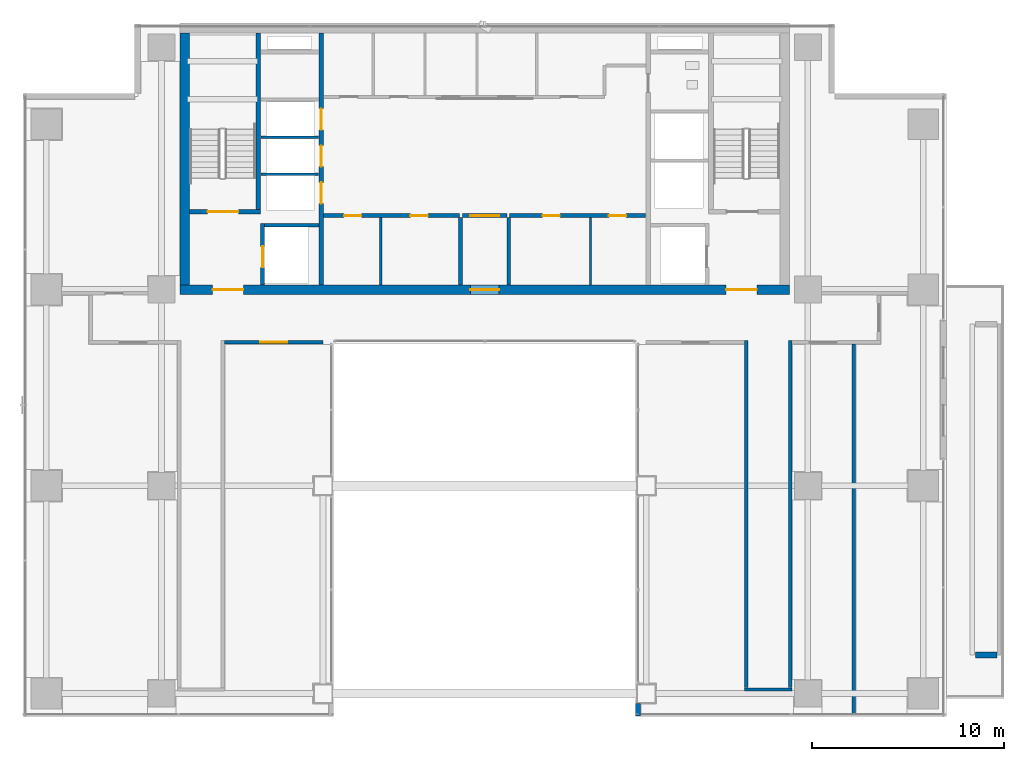
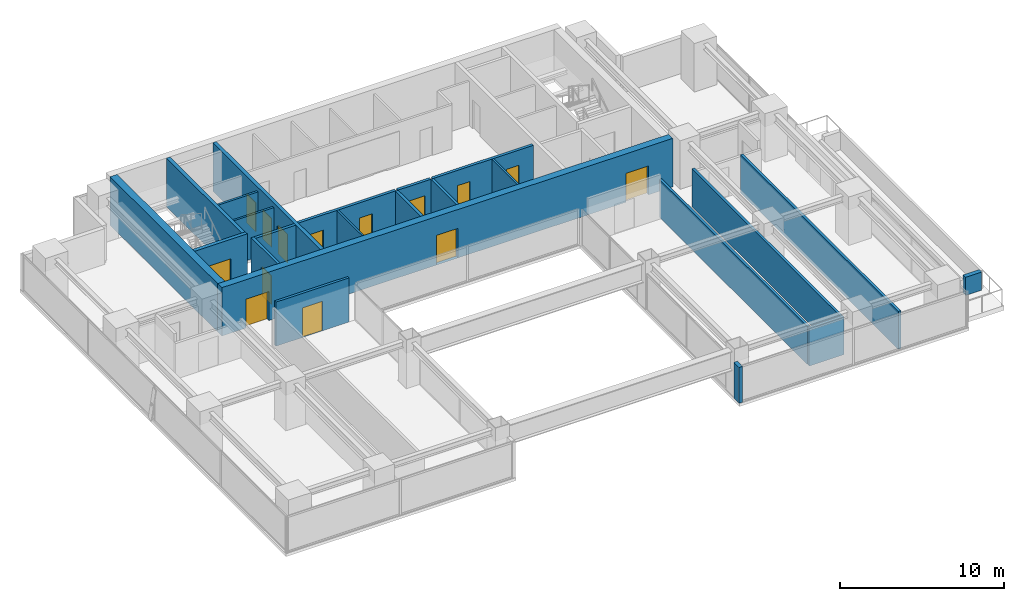
# One storey, part 26 of 32: 23 walls, 14 doors, 14 openings.
"""IFC4 building model written with IfcOpenShell, lengths in metres."""

from ifc_helpers import new_model, si_unit, direction, frame, frame_2d, origin, place, context, subcontext, project, spatial, rectangle, extrude, source, transform, mapped, material, layer, layer_set, type_object, element, fill, save


model = new_model("IFC4")

# Units and contexts
model_context = context("Model", 3, precision=1e-05, world=origin(), true_north=direction((0.0, 1.0)))
body_context = subcontext(model_context, "Body", "Model", "MODEL_VIEW")
ifc_project = project(units=[si_unit("LENGTHUNIT", "METRE"), si_unit("AREAUNIT", "SQUARE_METRE"), si_unit("VOLUMEUNIT", "CUBIC_METRE"), si_unit("PLANEANGLEUNIT", "RADIAN"), si_unit("MASSUNIT", "GRAM", prefix="KILO")], contexts=[model_context])

# Site, building, storey
site_placement = place(None, origin())
site = spatial("IfcSite", under=ifc_project, at=site_placement, CompositionType="ELEMENT")
building_placement = place(site_placement, origin())
building = spatial("IfcBuilding", under=site, at=building_placement, Name="Sumidabori Civic Tower", CompositionType="ELEMENT")
storey_placement = place(building_placement, frame((0.0, 0.0, 225.199951171875)))
storey = spatial("IfcBuildingStorey", under=building, at=storey_placement, Name="L58", CompositionType="ELEMENT", Elevation=225.199951171875)

# Wall
ifc_material_1 = material(Name="Concrete C50/60", Category="concrete")
ifc_layer_1 = layer(ifc_material_1, 0.199951171875, Name="Concrete C50/60")
ifc_layer_set_1 = layer_set([ifc_layer_1], Name="Concrete C50/60")
wall_type_1 = type_object("IfcWallType", Name="WL-SHAFT-200", PredefinedType="SHEAR", material=ifc_layer_set_1)
shared_shape_1 = source(origin(), body_context, "Body", "SweptSolid", [
    extrude(rectangle(XDim=2.824951171875, YDim=0.199951171875, at=frame_2d((1.41259765625, 0.0))), origin(), (0.0, 0.0, 1.0), 3.60009765625),
])
wall_1_placement = place(storey_placement, frame((-11.449951171875, 13.550048828125, 0.0), z_axis=(0.0, 0.0, 1.0), x_axis=(1.0, 0.0, 0.0)))
element("IfcWall", 1, at=wall_1_placement, inside=storey, type_object=wall_type_1, Name="Core Shear Wall L58 EL1-N", PredefinedType="SHEAR", context=body_context, shape_type="MappedRepresentation", body=[
    mapped(shared_shape_1, transform((0.0, 0.0, 0.0), x_axis=(1.0, 0.0, 0.0), y_axis=(0.0, 1.0, 0.0), z_axis=(0.0, 0.0, 1.0), scale=1.0)),
])

# Wall, openings, doors
ifc_layer_2 = layer(ifc_material_1, 0.5, Name="Concrete C50/60")
ifc_layer_set_2 = layer_set([ifc_layer_2], Name="Concrete C50/60")
wall_type_2 = type_object("IfcWallType", Name="WL-CORE-500", PredefinedType="SHEAR", material=ifc_layer_set_2)
shared_shape_2 = source(origin(), body_context, "Body", "SweptSolid", [
    extrude(rectangle(XDim=31.7001953125, YDim=0.5, at=frame_2d((15.85009765625, 0.0))), origin(), (0.0, 0.0, 1.0), 3.60009765625),
])
wall_2_placement = place(storey_placement, frame((-15.85009765625, 10.199951171875, 0.0), z_axis=(0.0, 0.0, 1.0), x_axis=(1.0, 0.0, 0.0)))
wall_2 = element("IfcWall", 2, at=wall_2_placement, inside=storey, type_object=wall_type_2, Name="Core Shear Wall L58 S", PredefinedType="SHEAR", context=body_context, shape_type="MappedRepresentation", body=[
    mapped(shared_shape_2, transform((0.0, 0.0, 0.0), x_axis=(1.0, 0.0, 0.0), y_axis=(0.0, 1.0, 0.0), z_axis=(0.0, 0.0, 1.0), scale=1.0)),
])
opening_1_placement = place(wall_2_placement, frame((1.699951171875, 0.0, 0.0)))
opening_1 = element("IfcOpeningElement", 3, at=opening_1_placement, cuts=wall_2, Name="Opening DR-FD4", PredefinedType="OPENING", context=body_context, shape_type="SweptSolid", body=[
    extrude(rectangle(XDim=1.60009765625, YDim=2.14990234375, at=frame_2d((0.800048828125, 1.074951171875))), frame((0.0, 0.261962890625, 0.0), z_axis=(0.0, -1.0, 0.0), x_axis=(1.0, 0.0, 0.0)), (0.0, 0.0, 1.0), 0.52392578125),
])
opening_2_placement = place(wall_2_placement, frame((28.39990234375, 0.0, 0.0)))
opening_2 = element("IfcOpeningElement", 4, at=opening_2_placement, cuts=wall_2, Name="Opening DR-FD4", PredefinedType="OPENING", context=body_context, shape_type="SweptSolid", body=[
    extrude(rectangle(XDim=1.60009765625, YDim=2.14990234375, at=frame_2d((0.800048828125, 1.074951171875))), frame((0.0, 0.261962890625, 0.0), z_axis=(0.0, -1.0, 0.0), x_axis=(1.0, 0.0, 0.0)), (0.0, 0.0, 1.0), 0.52392578125),
])
opening_3_placement = place(wall_2_placement, frame((15.10009765625, 0.0, 0.0)))
opening_3 = element("IfcOpeningElement", 5, at=opening_3_placement, cuts=wall_2, Name="Opening DR-FD3", PredefinedType="OPENING", context=body_context, shape_type="SweptSolid", body=[
    extrude(rectangle(XDim=1.5, YDim=2.199951171875, at=frame_2d((0.75, 1.10009765625))), frame((0.0, 0.261962890625, 0.0), z_axis=(0.0, -1.0, 0.0), x_axis=(1.0, 0.0, 0.0)), (0.0, 0.0, 1.0), 0.52392578125),
])
ifc_material_2 = material(Name="Steel SN490", Category="steel")
door_type_1 = type_object("IfcDoorType", Name="DR-FD4", OperationType="DOUBLE_DOOR_SINGLE_SWING", PredefinedType="DOOR", material=ifc_material_2)
shared_shape_3 = source(origin(), body_context, "Body", "SweptSolid", [
    extrude(rectangle(XDim=1.60009765625, YDim=2.14990234375, at=frame_2d((0.800048828125, 1.074951171875))), frame((0.0, 0.02490234375, 0.0), z_axis=(0.0, -1.0, 0.0), x_axis=(1.0, 0.0, 0.0)), (0.0, 0.0, 1.0), 0.050048828125),
])
door_1_placement = place(opening_1_placement, origin())
door_1 = element("IfcDoor", 6, at=door_1_placement, inside=storey, type_object=door_type_1, Name="Door DR:L58:ELOB-W", OperationType="DOUBLE_DOOR_SINGLE_SWING", OverallHeight=2.14990234375, OverallWidth=1.60009765625, PredefinedType="DOOR", context=body_context, shape_type="MappedRepresentation", body=[
    mapped(shared_shape_3, transform((0.0, 0.0, 0.0), x_axis=(1.0, 0.0, 0.0), y_axis=(0.0, 1.0, 0.0), z_axis=(0.0, 0.0, 1.0), scale=1.0)),
])
fill(opening_1, door_1)
door_2_placement = place(opening_2_placement, origin())
door_2 = element("IfcDoor", 7, at=door_2_placement, inside=storey, type_object=door_type_1, Name="Door DR:L58:ELOB-E", OperationType="DOUBLE_DOOR_SINGLE_SWING", OverallHeight=2.14990234375, OverallWidth=1.60009765625, PredefinedType="DOOR", context=body_context, shape_type="MappedRepresentation", body=[
    mapped(shared_shape_3, transform((0.0, 0.0, 0.0), x_axis=(1.0, 0.0, 0.0), y_axis=(0.0, 1.0, 0.0), z_axis=(0.0, 0.0, 1.0), scale=1.0)),
])
fill(opening_2, door_2)
door_type_2 = type_object("IfcDoorType", Name="DR-FD-DBL", OperationType="DOUBLE_DOOR_SINGLE_SWING", PredefinedType="DOOR", material=ifc_material_2)
shared_shape_4 = source(origin(), body_context, "Body", "SweptSolid", [
    extrude(rectangle(XDim=1.5, YDim=2.199951171875, at=frame_2d((0.75, 1.10009765625))), frame((0.0, 0.02490234375, 0.0), z_axis=(0.0, -1.0, 0.0), x_axis=(1.0, 0.0, 0.0)), (0.0, 0.0, 1.0), 0.050048828125),
])
door_3_placement = place(opening_3_placement, origin())
door_3 = element("IfcDoor", 8, at=door_3_placement, inside=storey, type_object=door_type_2, Name="Door DR:L58:THROAT-OUT", OperationType="DOUBLE_DOOR_SINGLE_SWING", OverallHeight=2.199951171875, OverallWidth=1.5, PredefinedType="DOOR", context=body_context, shape_type="MappedRepresentation", body=[
    mapped(shared_shape_4, transform((0.0, 0.0, 0.0), x_axis=(1.0, 0.0, 0.0), y_axis=(0.0, 1.0, 0.0), z_axis=(0.0, 0.0, 1.0), scale=1.0)),
])
fill(opening_3, door_3)

# Wall
shared_shape_5 = source(origin(), body_context, "Body", "SweptSolid", [
    extrude(rectangle(XDim=13.10009765625, YDim=0.5, at=frame_2d((6.550048828125, 0.0))), origin(), (0.0, 0.0, 1.0), 3.60009765625),
])
wall_3_placement = place(storey_placement, frame((-15.60009765625, 10.449951171875, 0.0), z_axis=(0.0, 0.0, 1.0), x_axis=(0.0, 1.0, 0.0)))
element("IfcWall", 9, at=wall_3_placement, inside=storey, type_object=wall_type_2, Name="Core Shear Wall L58 W", PredefinedType="SHEAR", context=body_context, shape_type="MappedRepresentation", body=[
    mapped(shared_shape_5, transform((0.0, 0.0, 0.0), x_axis=(1.0, 0.0, 0.0), y_axis=(0.0, 1.0, 0.0), z_axis=(0.0, 0.0, 1.0), scale=1.0)),
])

# Wall, openings, doors
ifc_layer_3 = layer(ifc_material_1, 0.25, Name="Concrete C50/60")
ifc_layer_set_3 = layer_set([ifc_layer_3], Name="Concrete C50/60")
wall_type_3 = type_object("IfcWallType", Name="WL-SHAFT-250", PredefinedType="SHEAR", material=ifc_layer_set_3)
shared_shape_6 = source(origin(), body_context, "Body", "SweptSolid", [
    extrude(rectangle(XDim=13.10009765625, YDim=0.25, at=frame_2d((6.550048828125, 0.0))), origin(), (0.0, 0.0, 1.0), 3.60009765625),
])
wall_4_placement = place(storey_placement, frame((-8.5, 10.449951171875, 0.0), z_axis=(0.0, 0.0, 1.0), x_axis=(0.0, 1.0, 0.0)))
wall_4 = element("IfcWall", 10, at=wall_4_placement, inside=storey, type_object=wall_type_3, Name="Core Shear Wall L58 WEB-W", PredefinedType="SHEAR", context=body_context, shape_type="MappedRepresentation", body=[
    mapped(shared_shape_6, transform((0.0, 0.0, 0.0), x_axis=(1.0, 0.0, 0.0), y_axis=(0.0, 1.0, 0.0), z_axis=(0.0, 0.0, 1.0), scale=1.0)),
])
opening_4_placement = place(wall_4_placement, frame((4.219970703125, 0.0, 0.0)))
opening_4 = element("IfcOpeningElement", 11, at=opening_4_placement, cuts=wall_4, Name="Opening LD-1", PredefinedType="OPENING", context=body_context, shape_type="SweptSolid", body=[
    extrude(rectangle(XDim=1.10009765625, YDim=2.14990234375, at=frame_2d((0.550048828125, 1.074951171875))), frame((0.0, 0.136962890625, 0.0), z_axis=(0.0, -1.0, 0.0), x_axis=(1.0, 0.0, 0.0)), (0.0, 0.0, 1.0), 0.27392578125),
])
opening_5_placement = place(wall_4_placement, frame((6.139892578125, 0.0, 0.0)))
opening_5 = element("IfcOpeningElement", 12, at=opening_5_placement, cuts=wall_4, Name="Opening LD-1", PredefinedType="OPENING", context=body_context, shape_type="SweptSolid", body=[
    extrude(rectangle(XDim=1.10009765625, YDim=2.14990234375, at=frame_2d((0.550048828125, 1.074951171875))), frame((0.0, 0.136962890625, 0.0), z_axis=(0.0, -1.0, 0.0), x_axis=(1.0, 0.0, 0.0)), (0.0, 0.0, 1.0), 0.27392578125),
])
opening_6_placement = place(wall_4_placement, frame((8.06005859375, 0.0, 0.0)))
opening_6 = element("IfcOpeningElement", 13, at=opening_6_placement, cuts=wall_4, Name="Opening LD-1", PredefinedType="OPENING", context=body_context, shape_type="SweptSolid", body=[
    extrude(rectangle(XDim=1.10009765625, YDim=2.14990234375, at=frame_2d((0.550048828125, 1.074951171875))), frame((0.0, 0.136962890625, 0.0), z_axis=(0.0, -1.0, 0.0), x_axis=(1.0, 0.0, 0.0)), (0.0, 0.0, 1.0), 0.27392578125),
])
ifc_material_3 = material(Name="Stainless Steel Hairline Finish", Category="steel")
door_type_3 = type_object("IfcDoorType", Name="DR-LD1", OperationType="DOUBLE_DOOR_SLIDING", PredefinedType="DOOR", material=ifc_material_3)
shared_shape_7 = source(origin(), body_context, "Body", "SweptSolid", [
    extrude(rectangle(XDim=1.10009765625, YDim=2.14990234375, at=frame_2d((0.550048828125, 1.074951171875))), frame((0.0, 0.02490234375, 0.0), z_axis=(0.0, -1.0, 0.0), x_axis=(1.0, 0.0, 0.0)), (0.0, 0.0, 1.0), 0.050048828125),
])
door_4_placement = place(opening_4_placement, origin())
door_4 = element("IfcDoor", 14, at=door_4_placement, inside=storey, type_object=door_type_3, Name="Door DR:L58:LD-PLH1", OperationType="DOUBLE_DOOR_SLIDING", OverallHeight=2.14990234375, OverallWidth=1.10009765625, PredefinedType="DOOR", context=body_context, shape_type="MappedRepresentation", body=[
    mapped(shared_shape_7, transform((0.0, 0.0, 0.0), x_axis=(1.0, 0.0, 0.0), y_axis=(0.0, 1.0, 0.0), z_axis=(0.0, 0.0, 1.0), scale=1.0)),
])
fill(opening_4, door_4)
door_5_placement = place(opening_5_placement, origin())
door_5 = element("IfcDoor", 15, at=door_5_placement, inside=storey, type_object=door_type_3, Name="Door DR:L58:LD-PLH2", OperationType="DOUBLE_DOOR_SLIDING", OverallHeight=2.14990234375, OverallWidth=1.10009765625, PredefinedType="DOOR", context=body_context, shape_type="MappedRepresentation", body=[
    mapped(shared_shape_7, transform((0.0, 0.0, 0.0), x_axis=(1.0, 0.0, 0.0), y_axis=(0.0, 1.0, 0.0), z_axis=(0.0, 0.0, 1.0), scale=1.0)),
])
fill(opening_5, door_5)
door_6_placement = place(opening_6_placement, origin())
door_6 = element("IfcDoor", 16, at=door_6_placement, inside=storey, type_object=door_type_3, Name="Door DR:L58:LD-PLH3", OperationType="DOUBLE_DOOR_SLIDING", OverallHeight=2.14990234375, OverallWidth=1.10009765625, PredefinedType="DOOR", context=body_context, shape_type="MappedRepresentation", body=[
    mapped(shared_shape_7, transform((0.0, 0.0, 0.0), x_axis=(1.0, 0.0, 0.0), y_axis=(0.0, 1.0, 0.0), z_axis=(0.0, 0.0, 1.0), scale=1.0)),
])
fill(opening_6, door_6)

# Wall, opening, door
shared_shape_8 = source(origin(), body_context, "Body", "SweptSolid", [
    extrude(rectangle(XDim=3.705078125, YDim=0.25, at=frame_2d((1.8525390625, 0.0))), origin(), (0.0, 0.0, 1.0), 3.60009765625),
])
wall_5_placement = place(storey_placement, frame((-15.35009765625, 14.25, 0.0), z_axis=(0.0, 0.0, 1.0), x_axis=(1.0, 0.0, 0.0)))
wall_5 = element("IfcWall", 17, at=wall_5_placement, inside=storey, type_object=wall_type_3, Name="Core Shear Wall L58 ST1-S", PredefinedType="SHEAR", context=body_context, shape_type="MappedRepresentation", body=[
    mapped(shared_shape_8, transform((0.0, 0.0, 0.0), x_axis=(1.0, 0.0, 0.0), y_axis=(0.0, 1.0, 0.0), z_axis=(0.0, 0.0, 1.0), scale=1.0)),
])
opening_7_placement = place(wall_5_placement, frame((0.949951171875, 0.0, 0.0)))
opening_7 = element("IfcOpeningElement", 18, at=opening_7_placement, cuts=wall_5, Name="Opening DR-FD4", PredefinedType="OPENING", context=body_context, shape_type="SweptSolid", body=[
    extrude(rectangle(XDim=1.60009765625, YDim=2.14990234375, at=frame_2d((0.800048828125, 1.074951171875))), frame((0.0, 0.136962890625, 0.0), z_axis=(0.0, -1.0, 0.0), x_axis=(1.0, 0.0, 0.0)), (0.0, 0.0, 1.0), 0.27392578125),
])
door_7_placement = place(opening_7_placement, origin())
door_7 = element("IfcDoor", 19, at=door_7_placement, inside=storey, type_object=door_type_1, Name="Door DR:L58:ST1", OperationType="DOUBLE_DOOR_SINGLE_SWING", OverallHeight=2.14990234375, OverallWidth=1.60009765625, PredefinedType="DOOR", context=body_context, shape_type="MappedRepresentation", body=[
    mapped(shared_shape_3, transform((0.0, 0.0, 0.0), x_axis=(1.0, 0.0, 0.0), y_axis=(0.0, 1.0, 0.0), z_axis=(0.0, 0.0, 1.0), scale=1.0)),
])
fill(opening_7, door_7)

# Wall
shared_shape_9 = source(origin(), body_context, "Body", "SweptSolid", [
    extrude(rectangle(XDim=9.175048828125, YDim=0.25, at=frame_2d((4.58740234375, 0.0))), origin(), (0.0, 0.0, 1.0), 3.60009765625),
])
wall_6_placement = place(storey_placement, frame((-11.77001953125, 14.375, 0.0), z_axis=(0.0, 0.0, 1.0), x_axis=(0.0, 1.0, 0.0)))
element("IfcWall", 20, at=wall_6_placement, inside=storey, type_object=wall_type_3, Name="Core Shear Wall L58 ST1-E", PredefinedType="SHEAR", context=body_context, shape_type="MappedRepresentation", body=[
    mapped(shared_shape_9, transform((0.0, 0.0, 0.0), x_axis=(1.0, 0.0, 0.0), y_axis=(0.0, 1.0, 0.0), z_axis=(0.0, 0.0, 1.0), scale=1.0)),
])

# Wall, opening, door
shared_shape_10 = source(origin(), body_context, "Body", "SweptSolid", [
    extrude(rectangle(XDim=3.199951171875, YDim=0.199951171875, at=frame_2d((1.60009765625, 0.0))), origin(), (0.0, 0.0, 1.0), 3.60009765625),
])
wall_7_placement = place(storey_placement, frame((-11.550048828125, 10.449951171875, 0.0), z_axis=(0.0, 0.0, 1.0), x_axis=(0.0, 1.0, 0.0)))
wall_7 = element("IfcWall", 21, at=wall_7_placement, inside=storey, type_object=wall_type_1, Name="Core Shear Wall L58 EL1-W", PredefinedType="SHEAR", context=body_context, shape_type="MappedRepresentation", body=[
    mapped(shared_shape_10, transform((0.0, 0.0, 0.0), x_axis=(1.0, 0.0, 0.0), y_axis=(0.0, 1.0, 0.0), z_axis=(0.0, 0.0, 1.0), scale=1.0)),
])
opening_8_placement = place(wall_7_placement, frame((0.89990234375, 0.0, 0.0)))
opening_8 = element("IfcOpeningElement", 22, at=opening_8_placement, cuts=wall_7, Name="Opening LD-2", PredefinedType="OPENING", context=body_context, shape_type="SweptSolid", body=[
    extrude(rectangle(XDim=1.10009765625, YDim=2.14990234375, at=frame_2d((0.550048828125, 1.074951171875))), frame((0.0, 0.11181640625, 0.0), z_axis=(0.0, -1.0, 0.0), x_axis=(1.0, 0.0, 0.0)), (0.0, 0.0, 1.0), 0.223876953125),
])
door_type_4 = type_object("IfcDoorType", Name="DR-LD2", OperationType="DOUBLE_DOOR_SLIDING", PredefinedType="DOOR", material=ifc_material_3)
door_8_placement = place(opening_8_placement, origin())
door_8 = element("IfcDoor", 23, at=door_8_placement, inside=storey, type_object=door_type_4, Name="Door DR:L58:LD-EL1", OperationType="DOUBLE_DOOR_SLIDING", OverallHeight=2.14990234375, OverallWidth=1.10009765625, PredefinedType="DOOR", context=body_context, shape_type="MappedRepresentation", body=[
    mapped(shared_shape_7, transform((0.0, 0.0, 0.0), x_axis=(1.0, 0.0, 0.0), y_axis=(0.0, 1.0, 0.0), z_axis=(0.0, 0.0, 1.0), scale=1.0)),
])
fill(opening_8, door_8)

# Walls
ifc_material_4 = material(Name="Precast concrete C40/50", Category="concrete")
ifc_layer_4 = layer(ifc_material_4, 0.300048828125, Name="Precast concrete C40/50")
ifc_layer_set_4 = layer_set([ifc_layer_4], Name="Precast concrete C40/50")
wall_type_4 = type_object("IfcWallType", Name="WL-EXT-POD300", PredefinedType="STANDARD", material=ifc_layer_set_4)
shared_shape_11 = source(origin(), body_context, "Body", "SweptSolid", [
    extrude(rectangle(XDim=0.639892578125, YDim=0.239990234375, at=frame_2d((0.31982421875, 0.0))), origin(), (0.0, 0.0, 1.0), 2.66015625),
])
wall_8_placement = place(storey_placement, frame((7.969970703125, -11.330078125, 0.0), z_axis=(0.0, 0.0, 1.0), x_axis=(0.0, -1.0, 0.0)))
element("IfcWall", 24, at=wall_8_placement, inside=storey, type_object=wall_type_4, Name="Perimeter Pier Spandrel L58-08", PredefinedType="STANDARD", context=body_context, shape_type="MappedRepresentation", body=[
    mapped(shared_shape_11, transform((0.0, 0.0, 0.0), x_axis=(1.0, 0.0, 0.0), y_axis=(0.0, 1.0, 0.0), z_axis=(0.0, 0.0, 1.0), scale=1.0)),
])
ifc_layer_5 = layer(ifc_material_1, 0.300048828125, Name="Concrete C50/60")
ifc_layer_set_5 = layer_set([ifc_layer_5], Name="Concrete C50/60")
wall_type_5 = type_object("IfcWallType", Name="WL-POOL-RC300", PredefinedType="SOLIDWALL", material=ifc_layer_set_5)
shared_shape_12 = source(origin(), body_context, "Body", "SweptSolid", [
    extrude(rectangle(XDim=1.119873046875, YDim=0.300048828125, at=frame_2d((0.56005859375, 0.0))), origin(), (0.0, 0.0, 1.0), 1.35009765625),
])
wall_9_placement = place(storey_placement, frame((25.52001953125, -8.800048828125, 0.0), z_axis=(0.0, 0.0, 1.0), x_axis=(1.0, 0.0, 0.0)))
element("IfcWall", 25, at=wall_9_placement, inside=storey, type_object=wall_type_5, Name="Sky Pool South Basin Wall", PredefinedType="SOLIDWALL", context=body_context, shape_type="MappedRepresentation", body=[
    mapped(shared_shape_12, transform((0.0, 0.0, 0.0), x_axis=(1.0, 0.0, 0.0), y_axis=(0.0, 1.0, 0.0), z_axis=(0.0, 0.0, 1.0), scale=1.0)),
])
ifc_material_5 = material(Name="Gypsum Plasterboard Acoustic Partition")
ifc_layer_6 = layer(ifc_material_5, 0.14990234375, Name="Gypsum Plasterboard Acoustic Partition")
ifc_layer_set_6 = layer_set([ifc_layer_6], Name="Gypsum Plasterboard Acoustic Partition")
wall_type_6 = type_object("IfcWallType", Name="WL-PART-150", PredefinedType="PARTITIONING", material=ifc_layer_set_6)
shared_shape_13 = source(origin(), body_context, "Body", "SweptSolid", [
    extrude(rectangle(XDim=3.010009765625, YDim=0.14990234375, at=frame_2d((1.5048828125, 0.0))), origin(), (0.0, 0.0, 1.0), 3.280029296875),
])
for number, where, z_axis, x_axis, name in (
    (26, (-11.639892578125, 16.199951171875, 0.0), (0.0, 0.0, 1.0), (1.0, 0.0, 0.0), "Interior Partition WL:L58:DIV-PLH1"),
    (27, (-11.639892578125, 18.1201171875, 0.0), (0.0, 0.0, 1.0), (1.0, 0.0, 0.0), "Interior Partition WL:L58:DIV-PLH2"),
):
    element("IfcWall", number, at=place(storey_placement, frame(where, z_axis=z_axis, x_axis=x_axis)), inside=storey, type_object=wall_type_6, Name=name, PredefinedType="PARTITIONING", context=body_context, shape_type="MappedRepresentation", body=[
        mapped(shared_shape_13, transform((0.0, 0.0, 0.0), x_axis=(1.0, 0.0, 0.0), y_axis=(0.0, 1.0, 0.0), z_axis=(0.0, 0.0, 1.0), scale=1.0)),
    ])

# Wall, openings, doors
ifc_material_6 = material(Name="Gypsum Plasterboard Fire Partition")
ifc_layer_7 = layer(ifc_material_6, 0.199951171875, Name="Gypsum Plasterboard Fire Partition")
ifc_layer_set_7 = layer_set([ifc_layer_7], Name="Gypsum Plasterboard Fire Partition")
wall_type_7 = type_object("IfcWallType", Name="WL-PART-FIRE", PredefinedType="PARTITIONING", material=ifc_layer_set_7)
shared_shape_14 = source(origin(), body_context, "Body", "SweptSolid", [
    extrude(rectangle(XDim=7.070068359375, YDim=0.199951171875, at=frame_2d((3.53515625, 0.0))), origin(), (0.0, 0.0, 1.0), 3.280029296875),
])
wall_10_placement = place(storey_placement, frame((-8.3701171875, 14.050048828125, 0.0), z_axis=(0.0, 0.0, 1.0), x_axis=(1.0, 0.0, 0.0)))
wall_10 = element("IfcWall", 28, at=wall_10_placement, inside=storey, type_object=wall_type_7, Name="Interior Partition WL:L58:CBAND-SW", PredefinedType="PARTITIONING", context=body_context, shape_type="MappedRepresentation", body=[
    mapped(shared_shape_14, transform((0.0, 0.0, 0.0), x_axis=(1.0, 0.0, 0.0), y_axis=(0.0, 1.0, 0.0), z_axis=(0.0, 0.0, 1.0), scale=1.0)),
])
opening_9_placement = place(wall_10_placement, frame((1.06005859375, 0.0, 0.0)))
opening_9 = element("IfcOpeningElement", 29, at=opening_9_placement, cuts=wall_10, Name="Opening DR-1", PredefinedType="OPENING", context=body_context, shape_type="SweptSolid", body=[
    extrude(rectangle(XDim=0.89990234375, YDim=2.14990234375, at=frame_2d((0.449951171875, 1.074951171875))), frame((0.0, 0.11181640625, 0.0), z_axis=(0.0, -1.0, 0.0), x_axis=(1.0, 0.0, 0.0)), (0.0, 0.0, 1.0), 0.223876953125),
])
opening_10_placement = place(wall_10_placement, frame((4.510009765625, 0.0, 0.0)))
opening_10 = element("IfcOpeningElement", 30, at=opening_10_placement, cuts=wall_10, Name="Opening DR-1", PredefinedType="OPENING", context=body_context, shape_type="SweptSolid", body=[
    extrude(rectangle(XDim=0.89990234375, YDim=2.14990234375, at=frame_2d((0.449951171875, 1.074951171875))), frame((0.0, 0.11181640625, 0.0), z_axis=(0.0, -1.0, 0.0), x_axis=(1.0, 0.0, 0.0)), (0.0, 0.0, 1.0), 0.223876953125),
])
ifc_material_7 = material(Name="Japanese Hinoki Timber", Category="wood")
door_type_5 = type_object("IfcDoorType", Name="DR-INT-900", OperationType="NOTDEFINED", PredefinedType="DOOR", material=ifc_material_7)
shared_shape_15 = source(origin(), body_context, "Body", "SweptSolid", [
    extrude(rectangle(XDim=0.89990234375, YDim=2.14990234375, at=frame_2d((0.449951171875, 1.074951171875))), frame((0.0, 0.02490234375, 0.0), z_axis=(0.0, -1.0, 0.0), x_axis=(1.0, 0.0, 0.0)), (0.0, 0.0, 1.0), 0.050048828125),
])
door_9_placement = place(opening_9_placement, origin())
door_9 = element("IfcDoor", 31, at=door_9_placement, inside=storey, type_object=door_type_5, Name="Door DR:L58:REC-B1A", OperationType="SINGLE_SWING_LEFT", OverallHeight=2.14990234375, OverallWidth=0.89990234375, PredefinedType="DOOR", context=body_context, shape_type="MappedRepresentation", body=[
    mapped(shared_shape_15, transform((0.0, 0.0, 0.0), x_axis=(1.0, 0.0, 0.0), y_axis=(0.0, 1.0, 0.0), z_axis=(0.0, 0.0, 1.0), scale=1.0)),
])
fill(opening_9, door_9)
door_10_placement = place(opening_10_placement, origin())
door_10 = element("IfcDoor", 32, at=door_10_placement, inside=storey, type_object=door_type_5, Name="Door DR:L58:REC-B1B", OperationType="SINGLE_SWING_RIGHT", OverallHeight=2.14990234375, OverallWidth=0.89990234375, PredefinedType="DOOR", context=body_context, shape_type="MappedRepresentation", body=[
    mapped(shared_shape_15, transform((0.0, 0.0, 0.0), x_axis=(1.0, 0.0, 0.0), y_axis=(0.0, 1.0, 0.0), z_axis=(0.0, 0.0, 1.0), scale=1.0)),
])
fill(opening_10, door_10)

wall_11_placement = place(storey_placement, frame((1.300048828125, 14.050048828125, 0.0), z_axis=(0.0, 0.0, 1.0), x_axis=(1.0, 0.0, 0.0)))
wall_11 = element("IfcWall", 33, at=wall_11_placement, inside=storey, type_object=wall_type_7, Name="Interior Partition WL:L58:CBAND-SE", PredefinedType="PARTITIONING", context=body_context, shape_type="MappedRepresentation", body=[
    mapped(shared_shape_14, transform((0.0, 0.0, 0.0), x_axis=(1.0, 0.0, 0.0), y_axis=(0.0, 1.0, 0.0), z_axis=(0.0, 0.0, 1.0), scale=1.0)),
])
opening_11_placement = place(wall_11_placement, frame((1.7099609375, 0.0, 0.0)))
opening_11 = element("IfcOpeningElement", 34, at=opening_11_placement, cuts=wall_11, Name="Opening DR-1", PredefinedType="OPENING", context=body_context, shape_type="SweptSolid", body=[
    extrude(rectangle(XDim=0.89990234375, YDim=2.14990234375, at=frame_2d((0.449951171875, 1.074951171875))), frame((0.0, 0.11181640625, 0.0), z_axis=(0.0, -1.0, 0.0), x_axis=(1.0, 0.0, 0.0)), (0.0, 0.0, 1.0), 0.223876953125),
])
opening_12_placement = place(wall_11_placement, frame((5.159912109375, 0.0, 0.0)))
opening_12 = element("IfcOpeningElement", 35, at=opening_12_placement, cuts=wall_11, Name="Opening DR-1", PredefinedType="OPENING", context=body_context, shape_type="SweptSolid", body=[
    extrude(rectangle(XDim=0.89990234375, YDim=2.14990234375, at=frame_2d((0.449951171875, 1.074951171875))), frame((0.0, 0.11181640625, 0.0), z_axis=(0.0, -1.0, 0.0), x_axis=(1.0, 0.0, 0.0)), (0.0, 0.0, 1.0), 0.223876953125),
])
door_11_placement = place(opening_11_placement, origin())
door_11 = element("IfcDoor", 36, at=door_11_placement, inside=storey, type_object=door_type_5, Name="Door DR:L58:REC-B2A", OperationType="SINGLE_SWING_LEFT", OverallHeight=2.14990234375, OverallWidth=0.89990234375, PredefinedType="DOOR", context=body_context, shape_type="MappedRepresentation", body=[
    mapped(shared_shape_15, transform((0.0, 0.0, 0.0), x_axis=(1.0, 0.0, 0.0), y_axis=(0.0, 1.0, 0.0), z_axis=(0.0, 0.0, 1.0), scale=1.0)),
])
fill(opening_11, door_11)
door_12_placement = place(opening_12_placement, origin())
door_12 = element("IfcDoor", 37, at=door_12_placement, inside=storey, type_object=door_type_5, Name="Door DR:L58:REC-B2B", OperationType="SINGLE_SWING_RIGHT", OverallHeight=2.14990234375, OverallWidth=0.89990234375, PredefinedType="DOOR", context=body_context, shape_type="MappedRepresentation", body=[
    mapped(shared_shape_15, transform((0.0, 0.0, 0.0), x_axis=(1.0, 0.0, 0.0), y_axis=(0.0, 1.0, 0.0), z_axis=(0.0, 0.0, 1.0), scale=1.0)),
])
fill(opening_12, door_12)

# Walls
shared_shape_16 = source(origin(), body_context, "Body", "SweptSolid", [
    extrude(rectangle(XDim=3.489990234375, YDim=0.199951171875, at=frame_2d((1.7451171875, 0.0))), origin(), (0.0, 0.0, 1.0), 3.280029296875),
])
for number, where, z_axis, x_axis, name in (
    (38, (-1.25, 10.449951171875, 0.0), (0.0, 0.0, 1.0), (0.0, 1.0, 0.0), "Interior Partition WL:L58:THROAT-W"),
    (39, (1.25, 10.449951171875, 0.0), (0.0, 0.0, 1.0), (0.0, 1.0, 0.0), "Interior Partition WL:L58:THROAT-E"),
):
    element("IfcWall", number, at=place(storey_placement, frame(where, z_axis=z_axis, x_axis=x_axis)), inside=storey, type_object=wall_type_7, Name=name, PredefinedType="PARTITIONING", context=body_context, shape_type="MappedRepresentation", body=[
        mapped(shared_shape_16, transform((0.0, 0.0, 0.0), x_axis=(1.0, 0.0, 0.0), y_axis=(0.0, 1.0, 0.0), z_axis=(0.0, 0.0, 1.0), scale=1.0)),
    ])

# Wall, opening, door
shared_shape_17 = source(origin(), body_context, "Body", "SweptSolid", [
    extrude(rectangle(XDim=2.2998046875, YDim=0.199951171875, at=frame_2d((1.14990234375, 0.0))), origin(), (0.0, 0.0, 1.0), 3.280029296875),
])
wall_12_placement = place(storey_placement, frame((-1.14990234375, 14.050048828125, 0.0), z_axis=(0.0, 0.0, 1.0), x_axis=(1.0, 0.0, 0.0)))
wall_12 = element("IfcWall", 40, at=wall_12_placement, inside=storey, type_object=wall_type_7, Name="Interior Partition WL:L58:THROAT-N", PredefinedType="PARTITIONING", context=body_context, shape_type="MappedRepresentation", body=[
    mapped(shared_shape_17, transform((0.0, 0.0, 0.0), x_axis=(1.0, 0.0, 0.0), y_axis=(0.0, 1.0, 0.0), z_axis=(0.0, 0.0, 1.0), scale=1.0)),
])
opening_13_placement = place(wall_12_placement, frame((0.39990234375, 0.0, 0.0)))
opening_13 = element("IfcOpeningElement", 41, at=opening_13_placement, cuts=wall_12, Name="Opening DR-FD3", PredefinedType="OPENING", context=body_context, shape_type="SweptSolid", body=[
    extrude(rectangle(XDim=1.5, YDim=2.199951171875, at=frame_2d((0.75, 1.10009765625))), frame((0.0, 0.11181640625, 0.0), z_axis=(0.0, -1.0, 0.0), x_axis=(1.0, 0.0, 0.0)), (0.0, 0.0, 1.0), 0.223876953125),
])
door_13_placement = place(opening_13_placement, origin())
door_13 = element("IfcDoor", 42, at=door_13_placement, inside=storey, type_object=door_type_2, Name="Door DR:L58:THROAT-IN", OperationType="DOUBLE_DOOR_SINGLE_SWING", OverallHeight=2.199951171875, OverallWidth=1.5, PredefinedType="DOOR", context=body_context, shape_type="MappedRepresentation", body=[
    mapped(shared_shape_4, transform((0.0, 0.0, 0.0), x_axis=(1.0, 0.0, 0.0), y_axis=(0.0, 1.0, 0.0), z_axis=(0.0, 0.0, 1.0), scale=1.0)),
])
fill(opening_13, door_13)

# Walls
ifc_layer_8 = layer(ifc_material_5, 0.1201171875, Name="Gypsum Plasterboard Acoustic Partition")
ifc_layer_set_8 = layer_set([ifc_layer_8], Name="Gypsum Plasterboard Acoustic Partition")
wall_type_8 = type_object("IfcWallType", Name="WL-PART-120", PredefinedType="PARTITIONING", material=ifc_layer_set_8)
shared_shape_18 = source(origin(), body_context, "Body", "SweptSolid", [
    extrude(rectangle(XDim=3.489990234375, YDim=0.1201171875, at=frame_2d((1.7451171875, 0.0))), origin(), (0.0, 0.0, 1.0), 3.280029296875),
])
for number, where, z_axis, x_axis, name in (
    (43, (-5.39990234375, 10.449951171875, 0.0), (0.0, 0.0, 1.0), (0.0, 1.0, 0.0), "Interior Partition WL:L58:REC-B1-SP"),
    (44, (5.5, 10.449951171875, 0.0), (0.0, 0.0, 1.0), (0.0, 1.0, 0.0), "Interior Partition WL:L58:REC-B2-SP"),
):
    element("IfcWall", number, at=place(storey_placement, frame(where, z_axis=z_axis, x_axis=x_axis)), inside=storey, type_object=wall_type_8, Name=name, PredefinedType="PARTITIONING", context=body_context, shape_type="MappedRepresentation", body=[
        mapped(shared_shape_18, transform((0.0, 0.0, 0.0), x_axis=(1.0, 0.0, 0.0), y_axis=(0.0, 1.0, 0.0), z_axis=(0.0, 0.0, 1.0), scale=1.0)),
    ])

# Wall, opening, door
ifc_layer_9 = layer(ifc_material_5, 0.179931640625, Name="Gypsum Plasterboard Acoustic Partition")
ifc_layer_set_9 = layer_set([ifc_layer_9], Name="Gypsum Plasterboard Acoustic Partition")
wall_type_9 = type_object("IfcWallType", Name="WL-PART-180", PredefinedType="PARTITIONING", material=ifc_layer_set_9)
shared_shape_19 = source(origin(), body_context, "Body", "SweptSolid", [
    extrude(rectangle(XDim=5.1201171875, YDim=0.179931640625, at=frame_2d((2.56005859375, 0.0))), origin(), (0.0, 0.0, 1.0), 3.280029296875),
])
wall_13_placement = place(storey_placement, frame((-13.52001953125, 7.4599609375, 0.0), z_axis=(0.0, 0.0, 1.0), x_axis=(1.0, 0.0, 0.0)))
wall_13 = element("IfcWall", 45, at=wall_13_placement, inside=storey, type_object=wall_type_9, Name="Interior Partition WL:L58:CORR-SWI", PredefinedType="PARTITIONING", context=body_context, shape_type="MappedRepresentation", body=[
    mapped(shared_shape_19, transform((0.0, 0.0, 0.0), x_axis=(1.0, 0.0, 0.0), y_axis=(0.0, 1.0, 0.0), z_axis=(0.0, 0.0, 1.0), scale=1.0)),
])
opening_14_placement = place(wall_13_placement, frame((1.860107421875, 0.0, 0.0)))
opening_14 = element("IfcOpeningElement", 46, at=opening_14_placement, cuts=wall_13, Name="Opening DR-5", PredefinedType="OPENING", context=body_context, shape_type="SweptSolid", body=[
    extrude(rectangle(XDim=1.39990234375, YDim=2.199951171875, at=frame_2d((0.699951171875, 1.10009765625))), frame((0.0, 0.10205078125, 0.0), z_axis=(0.0, -1.0, 0.0), x_axis=(1.0, 0.0, 0.0)), (0.0, 0.0, 1.0), 0.203857421875),
])
ifc_material_8 = material(Name="Anodised Bronze Aluminium AW-6063-T6", Category="aluminium")
door_type_6 = type_object("IfcDoorType", Name="DR-DBL-1400", OperationType="DOUBLE_DOOR_SINGLE_SWING", PredefinedType="DOOR", material=ifc_material_8)
shared_shape_20 = source(origin(), body_context, "Body", "SweptSolid", [
    extrude(rectangle(XDim=1.39990234375, YDim=2.199951171875, at=frame_2d((0.699951171875, 1.10009765625))), frame((0.0, 0.02490234375, 0.0), z_axis=(0.0, -1.0, 0.0), x_axis=(1.0, 0.0, 0.0)), (0.0, 0.0, 1.0), 0.050048828125),
])
door_14_placement = place(opening_14_placement, origin())
door_14 = element("IfcDoor", 47, at=door_14_placement, inside=storey, type_object=door_type_6, Name="Door DR:L58:D05", OperationType="DOUBLE_DOOR_SINGLE_SWING", OverallHeight=2.199951171875, OverallWidth=1.39990234375, PredefinedType="DOOR", context=body_context, shape_type="MappedRepresentation", body=[
    mapped(shared_shape_20, transform((0.0, 0.0, 0.0), x_axis=(1.0, 0.0, 0.0), y_axis=(0.0, 1.0, 0.0), z_axis=(0.0, 0.0, 1.0), scale=1.0)),
])
fill(opening_14, door_14)

# Walls
shared_shape_21 = source(origin(), body_context, "Body", "SweptSolid", [
    extrude(rectangle(XDim=2.4599609375, YDim=0.179931640625, at=frame_2d((1.22998046875, 0.0))), origin(), (0.0, 0.0, 1.0), 2.81494140625),
])
wall_14_placement = place(storey_placement, frame((13.52001953125, -10.590087890625, 0.0), z_axis=(0.0, 0.0, 1.0), x_axis=(1.0, 0.0, 0.0)))
element("IfcWall", 48, at=wall_14_placement, inside=storey, type_object=wall_type_9, Name="Interior Partition WL:L58:CORR-CAP-E", PredefinedType="PARTITIONING", context=body_context, shape_type="MappedRepresentation", body=[
    mapped(shared_shape_21, transform((0.0, 0.0, 0.0), x_axis=(1.0, 0.0, 0.0), y_axis=(0.0, 1.0, 0.0), z_axis=(0.0, 0.0, 1.0), scale=1.0)),
])
shared_shape_22 = source(origin(), body_context, "Body", "SweptSolid", [
    extrude(rectangle(XDim=18.045166015625, YDim=0.179931640625, at=frame_2d((9.0224609375, 0.0))), origin(), (0.0, 0.0, 1.0), 2.81494140625),
])
for number, where, z_axis, x_axis, name in (
    (49, (13.610107421875, -10.4951171875, 0.0), (0.0, 0.0, 1.0), (0.0, 1.0, 0.0), "Interior Partition WL:L58:CORR-VPE-I"),
    (50, (15.889892578125, -10.4951171875, 0.0), (0.0, 0.0, 1.0), (0.0, 1.0, 0.0), "Interior Partition WL:L58:CORR-VPE-O"),
):
    element("IfcWall", number, at=place(storey_placement, frame(where, z_axis=z_axis, x_axis=x_axis)), inside=storey, type_object=wall_type_9, Name=name, PredefinedType="PARTITIONING", context=body_context, shape_type="MappedRepresentation", body=[
        mapped(shared_shape_22, transform((0.0, 0.0, 0.0), x_axis=(1.0, 0.0, 0.0), y_axis=(0.0, 1.0, 0.0), z_axis=(0.0, 0.0, 1.0), scale=1.0)),
    ])
shared_shape_23 = source(origin(), body_context, "Body", "SweptSolid", [
    extrude(rectangle(XDim=19.215087890625, YDim=0.179931640625, at=frame_2d((9.607421875, 0.0))), origin(), (0.0, 0.0, 1.0), 2.81494140625),
])
wall_15_placement = place(storey_placement, frame((19.199951171875, -11.85009765625, 0.0), z_axis=(0.0, 0.0, 1.0), x_axis=(0.0, 1.0, 0.0)))
element("IfcWall", 51, at=wall_15_placement, inside=storey, type_object=wall_type_9, Name="Interior Partition WL:L58:VX-N1", PredefinedType="PARTITIONING", context=body_context, shape_type="MappedRepresentation", body=[
    mapped(shared_shape_23, transform((0.0, 0.0, 0.0), x_axis=(1.0, 0.0, 0.0), y_axis=(0.0, 1.0, 0.0), z_axis=(0.0, 0.0, 1.0), scale=1.0)),
])

save(model, "model.ifc")
